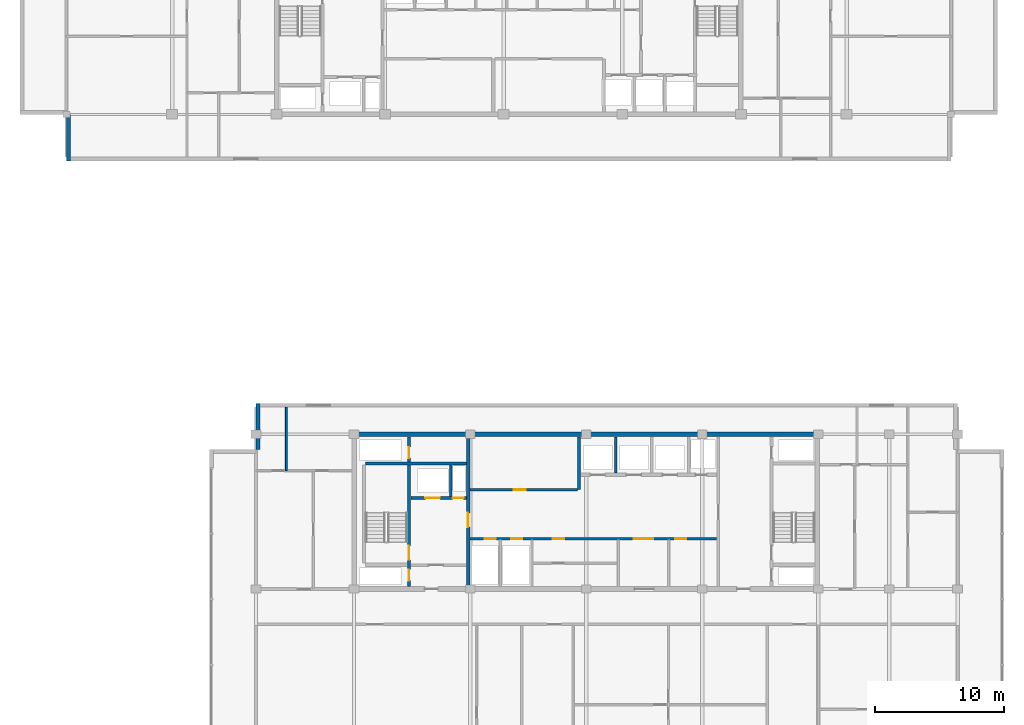
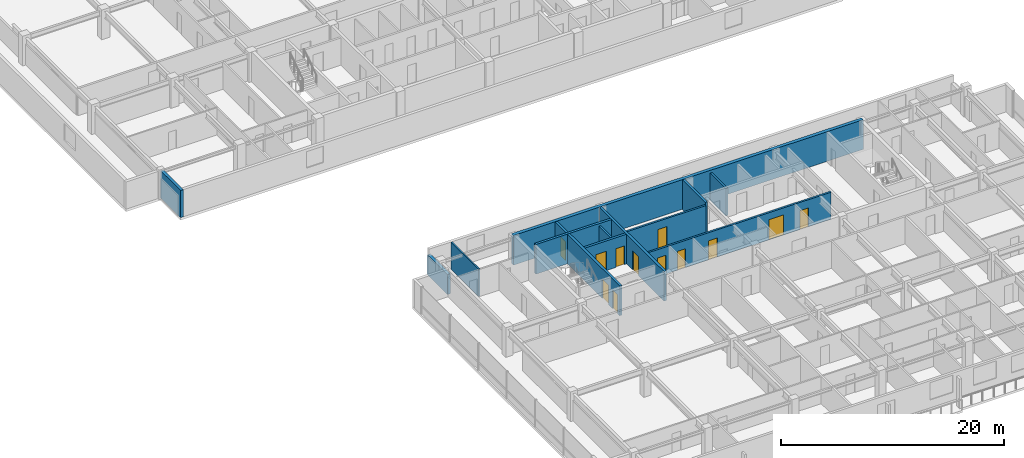
# One storey, part 15 of 30: 13 walls, 12 doors, 12 openings.
"""IFC4 building model written with IfcOpenShell, lengths in metres."""

from ifc_helpers import new_model, si_unit, direction, frame, frame_2d, origin, place, context, subcontext, project, spatial, rectangle, extrude, material, layer, layer_set, type_object, element, fill, save


model = new_model("IFC4")

# Units and contexts
model_context = context("Model", 3, precision=1e-05, world=origin(), true_north=direction((0.0, 1.0)))
body_context = subcontext(model_context, "Body", "Model", "MODEL_VIEW")
ifc_project = project(units=[si_unit("LENGTHUNIT", "METRE"), si_unit("AREAUNIT", "SQUARE_METRE"), si_unit("VOLUMEUNIT", "CUBIC_METRE"), si_unit("PLANEANGLEUNIT", "RADIAN"), si_unit("MASSUNIT", "GRAM", prefix="KILO")], contexts=[model_context])

# Site, building, storey
site_placement = place(None, origin())
site = spatial("IfcSite", under=ifc_project, at=site_placement, CompositionType="ELEMENT")
building_placement = place(site_placement, origin())
building = spatial("IfcBuilding", under=site, at=building_placement, Name="Korimba Cascade Residences", CompositionType="ELEMENT")
storey_placement = place(building_placement, frame((0.0, 0.0, 201.10009765625)))
storey = spatial("IfcBuildingStorey", under=building, at=storey_placement, Name="L58", CompositionType="ELEMENT", Elevation=201.10009765625)

# Walls
ifc_material_1 = material(Name="Precast concrete C40/50", Category="concrete")
ifc_layer_1 = layer(ifc_material_1, 0.300048828125)
ifc_layer_set_1 = layer_set([ifc_layer_1], Name="Precast concrete C40/50")
wall_type_1 = type_object("IfcWallType", Name="EW-STONE-300", PredefinedType="STANDARD", material=ifc_layer_set_1)
wall_1_placement = place(storey_placement, frame((59.949951171875, 55.199951171875, 0.0), z_axis=(0.0, 0.0, 1.0), x_axis=(0.0, -1.0, 0.0)))
element("IfcWall", 1, at=wall_1_placement, inside=storey, type_object=wall_type_1, Name="L58 T1 Perimeter Stone Wall E11", PredefinedType="STANDARD", context=body_context, shape_type="SweptSolid", body=[
    extrude(rectangle(XDim=3.599853515625, YDim=0.300048828125, at=frame_2d((1.7998046875, 0.0))), origin(), (0.0, 0.0, 1.0), 2.969970703125),
])
wall_2_placement = place(storey_placement, frame((74.64990234375, 32.800048828125, 0.0), z_axis=(0.0, 0.0, 1.0), x_axis=(0.0, -1.0, 0.0)))
element("IfcWall", 2, at=wall_2_placement, inside=storey, type_object=wall_type_1, Name="L58 T2 Perimeter Stone Wall E07", PredefinedType="STANDARD", context=body_context, shape_type="SweptSolid", body=[
    extrude(rectangle(XDim=3.60009765625, YDim=0.300048828125, at=frame_2d((1.800048828125, 0.0))), origin(), (0.0, 0.0, 1.0), 2.2001953125),
])
ifc_material_2 = material(Name="Concrete C65/80", Category="concrete")
ifc_layer_2 = layer(ifc_material_2, 0.35009765625)
ifc_layer_set_2 = layer_set([ifc_layer_2], Name="Concrete C65/80")
wall_type_2 = type_object("IfcWallType", Name="WAL-CORE-350", PredefinedType="SHEAR", material=ifc_layer_set_2)
wall_3_placement = place(storey_placement, frame((81.925048828125, 30.39990234375, 0.0), z_axis=(0.0, 0.0, 1.0), x_axis=(1.0, 0.0, 0.0)))
element("IfcWall", 3, at=wall_3_placement, inside=storey, type_object=wall_type_2, Name="L58 Core Shear Wall CW-L58-T2-N", PredefinedType="SHEAR", context=body_context, shape_type="SweptSolid", body=[
    extrude(rectangle(XDim=36.264892578125, YDim=0.35009765625, at=frame_2d((18.13232421875, 0.0))), origin(), (0.0, 0.0, 1.0), 3.25),
])
ifc_material_3 = material(Name="Insulated Acoustic Stud Partition", Category="gypsum")
ifc_layer_3 = layer(ifc_material_3, 0.14990234375)
ifc_layer_set_3 = layer_set([ifc_layer_3], Name="Insulated Acoustic Stud Partition")
wall_type_3 = type_object("IfcWallType", Name="WAL-PART-150", PredefinedType="PARTITIONING", material=ifc_layer_set_3)
wall_4_placement = place(storey_placement, frame((76.85009765625, 27.570068359375, 0.0), z_axis=(0.0, 0.0, 1.0), x_axis=(0.0, 1.0, 0.0)))
element("IfcWall", 4, at=wall_4_placement, inside=storey, type_object=wall_type_3, Name="L58 Partition Wall WAL-L58-T2-FW-VN", PredefinedType="PARTITIONING", context=body_context, shape_type="SweptSolid", body=[
    extrude(rectangle(XDim=4.929931640625, YDim=0.14990234375, at=frame_2d((2.46484375, 0.0))), origin(), (0.0, 0.0, 1.0), 2.969970703125),
])
ifc_material_4 = material(Name="Concrete C40/50", Category="concrete")
ifc_layer_4 = layer(ifc_material_4, 0.199951171875)
ifc_layer_set_4 = layer_set([ifc_layer_4], Name="Concrete C40/50")
wall_type_4 = type_object("IfcWallType", Name="WAL-PART-200", PredefinedType="PARTITIONING", material=ifc_layer_set_4)
wall_5_placement = place(storey_placement, frame((89.60009765625, 25.580078125, 0.0), z_axis=(0.0, 0.0, 1.0), x_axis=(0.0, 1.0, 0.0)))
element("IfcWall", 5, at=wall_5_placement, inside=storey, type_object=wall_type_4, Name="L58 Partition Wall CW-L58-T2-FFLDIV", PredefinedType="PARTITIONING", context=body_context, shape_type="SweptSolid", body=[
    extrude(rectangle(XDim=2.419921875, YDim=0.199951171875, at=frame_2d((1.2099609375, 0.0))), origin(), (0.0, 0.0, 1.0), 2.969970703125),
])

# Wall, opening, door
wall_6_placement = place(storey_placement, frame((91.080078125, 26.10009765625, 0.0), z_axis=(0.0, 0.0, 1.0), x_axis=(1.0, 0.0, 0.0)))
wall_6 = element("IfcWall", 6, at=wall_6_placement, inside=storey, type_object=wall_type_4, Name="L58 Partition Wall CW-L58-T2-B1RS", PredefinedType="PARTITIONING", context=body_context, shape_type="SweptSolid", body=[
    extrude(rectangle(XDim=8.33984375, YDim=0.199951171875, at=frame_2d((4.169921875, 0.0))), origin(), (0.0, 0.0, 1.0), 2.969970703125),
])
opening_1_placement = place(wall_6_placement, frame((3.39990234375, 0.0, 0.0)))
opening_1 = element("IfcOpeningElement", 7, at=opening_1_placement, cuts=wall_6, Name="Opening D-ST1", PredefinedType="OPENING", context=body_context, shape_type="SweptSolid", body=[
    extrude(rectangle(XDim=0.919921875, YDim=2.080078125, at=frame_2d((0.4599609375, 1.0400390625))), frame((0.0, 0.10986328125, 0.0), z_axis=(0.0, -1.0, 0.0), x_axis=(1.0, 0.0, 0.0)), (0.0, 0.0, 1.0), 0.219970703125),
])
ifc_material_5 = material(Name="Fire-Rated Core Store Door", Category="wood")
door_type_1 = type_object("IfcDoorType", Name="DR-FD60-920", OperationType="NOTDEFINED", PredefinedType="DOOR", material=ifc_material_5)
door_1_placement = place(opening_1_placement, origin())
door_1 = element("IfcDoor", 8, at=door_1_placement, inside=storey, type_object=door_type_1, Name="L58 T2 Resident Storage Door", OperationType="SINGLE_SWING_LEFT", OverallHeight=2.080078125, OverallWidth=0.919921875, PredefinedType="DOOR", context=body_context, shape_type="SweptSolid", body=[
    extrude(rectangle(XDim=0.919921875, YDim=2.080078125, at=frame_2d((0.4599609375, 1.0400390625))), frame((0.0, 0.02490234375, 0.0), z_axis=(0.0, -1.0, 0.0), x_axis=(1.0, 0.0, 0.0)), (0.0, 0.0, 1.0), 0.050048828125),
])
fill(opening_1, door_1)

# Wall
wall_7_placement = place(storey_placement, frame((102.39990234375, 27.3798828125, 0.0), z_axis=(0.0, 0.0, 1.0), x_axis=(0.0, 1.0, 0.0)))
element("IfcWall", 9, at=wall_7_placement, inside=storey, type_object=wall_type_4, Name="L58 Partition Wall CW-L58-T2-B2D1", PredefinedType="PARTITIONING", context=body_context, shape_type="SweptSolid", body=[
    extrude(rectangle(XDim=2.820068359375, YDim=0.199951171875, at=frame_2d((1.41015625, 0.0))), origin(), (0.0, 0.0, 1.0), 2.969970703125),
])

# Wall, openings, doors
wall_8_placement = place(storey_placement, frame((91.080078125, 22.300048828125, 0.0), z_axis=(0.0, 0.0, 1.0), x_axis=(1.0, 0.0, 0.0)))
wall_8 = element("IfcWall", 10, at=wall_8_placement, inside=storey, type_object=wall_type_4, Name="L58 Partition Wall CW-L58-T2-SRVROW", PredefinedType="PARTITIONING", context=body_context, shape_type="SweptSolid", body=[
    extrude(rectangle(XDim=19.139892578125, YDim=0.199951171875, at=frame_2d((9.56982421875, 0.0))), origin(), (0.0, 0.0, 1.0), 2.969970703125),
])
opening_2_placement = place(wall_8_placement, frame((1.14990234375, 0.0, 0.0)))
opening_2 = element("IfcOpeningElement", 11, at=opening_2_placement, cuts=wall_8, Name="Opening D-RS1", PredefinedType="OPENING", context=body_context, shape_type="SweptSolid", body=[
    extrude(rectangle(XDim=0.85009765625, YDim=2.050048828125, at=frame_2d((0.425048828125, 1.02490234375))), frame((0.0, 0.10986328125, 0.0), z_axis=(0.0, -1.0, 0.0), x_axis=(1.0, 0.0, 0.0)), (0.0, 0.0, 1.0), 0.219970703125),
])
opening_3_placement = place(wall_8_placement, frame((3.199951171875, 0.0, 0.0)))
opening_3 = element("IfcOpeningElement", 12, at=opening_3_placement, cuts=wall_8, Name="Opening D-RS1", PredefinedType="OPENING", context=body_context, shape_type="SweptSolid", body=[
    extrude(rectangle(XDim=0.85009765625, YDim=2.050048828125, at=frame_2d((0.425048828125, 1.02490234375))), frame((0.0, 0.10986328125, 0.0), z_axis=(0.0, -1.0, 0.0), x_axis=(1.0, 0.0, 0.0)), (0.0, 0.0, 1.0), 0.219970703125),
])
opening_4_placement = place(wall_8_placement, frame((12.719970703125, 0.0, 0.0)))
opening_4 = element("IfcOpeningElement", 13, at=opening_4_placement, cuts=wall_8, Name="Opening D-FD8", PredefinedType="OPENING", context=body_context, shape_type="SweptSolid", body=[
    extrude(rectangle(XDim=1.5, YDim=2.199951171875, at=frame_2d((0.75, 1.10009765625))), frame((0.0, 0.10986328125, 0.0), z_axis=(0.0, -1.0, 0.0), x_axis=(1.0, 0.0, 0.0)), (0.0, 0.0, 1.0), 0.219970703125),
])
opening_5_placement = place(wall_8_placement, frame((6.419921875, 0.0, 0.0)))
opening_5 = element("IfcOpeningElement", 14, at=opening_5_placement, cuts=wall_8, Name="Opening D-IN1", PredefinedType="OPENING", context=body_context, shape_type="SweptSolid", body=[
    extrude(rectangle(XDim=0.919921875, YDim=2.080078125, at=frame_2d((0.4599609375, 1.0400390625))), frame((0.0, 0.10986328125, 0.0), z_axis=(0.0, -1.0, 0.0), x_axis=(1.0, 0.0, 0.0)), (0.0, 0.0, 1.0), 0.219970703125),
])
opening_6_placement = place(wall_8_placement, frame((15.919921875, 0.0, 0.0)))
opening_6 = element("IfcOpeningElement", 15, at=opening_6_placement, cuts=wall_8, Name="Opening D-IN2", PredefinedType="OPENING", context=body_context, shape_type="SweptSolid", body=[
    extrude(rectangle(XDim=0.8798828125, YDim=2.06005859375, at=frame_2d((0.43994140625, 1.030029296875))), frame((0.0, 0.10986328125, 0.0), z_axis=(0.0, -1.0, 0.0), x_axis=(1.0, 0.0, 0.0)), (0.0, 0.0, 1.0), 0.219970703125),
])
ifc_material_6 = material(Name="Fire-Rated Steel Riser Access Door", Category="steel")
door_type_2 = type_object("IfcDoorType", Name="DR-FD60-850", OperationType="NOTDEFINED", PredefinedType="DOOR", material=ifc_material_6)
door_2_placement = place(opening_2_placement, origin())
door_2 = element("IfcDoor", 16, at=door_2_placement, inside=storey, type_object=door_type_2, Name="L58 T2 Electrical Riser Door", OperationType="SINGLE_SWING_RIGHT", OverallHeight=2.050048828125, OverallWidth=0.85009765625, PredefinedType="DOOR", context=body_context, shape_type="SweptSolid", body=[
    extrude(rectangle(XDim=0.85009765625, YDim=2.050048828125, at=frame_2d((0.425048828125, 1.02490234375))), frame((0.0, 0.02490234375, 0.0), z_axis=(0.0, -1.0, 0.0), x_axis=(1.0, 0.0, 0.0)), (0.0, 0.0, 1.0), 0.050048828125),
])
fill(opening_2, door_2)
door_3_placement = place(opening_3_placement, origin())
door_3 = element("IfcDoor", 17, at=door_3_placement, inside=storey, type_object=door_type_2, Name="L58 T2 Plumbing Riser Door", OperationType="SINGLE_SWING_LEFT", OverallHeight=2.050048828125, OverallWidth=0.85009765625, PredefinedType="DOOR", context=body_context, shape_type="SweptSolid", body=[
    extrude(rectangle(XDim=0.85009765625, YDim=2.050048828125, at=frame_2d((0.425048828125, 1.02490234375))), frame((0.0, 0.02490234375, 0.0), z_axis=(0.0, -1.0, 0.0), x_axis=(1.0, 0.0, 0.0)), (0.0, 0.0, 1.0), 0.050048828125),
])
fill(opening_3, door_3)
ifc_material_7 = material(Name="Fire-Rated Glazed Lift Lobby Double Door", Category="glass")
door_type_3 = type_object("IfcDoorType", Name="DR-FD90-1500", OperationType="NOTDEFINED", PredefinedType="DOOR", material=ifc_material_7)
door_4_placement = place(opening_4_placement, origin())
door_4 = element("IfcDoor", 18, at=door_4_placement, inside=storey, type_object=door_type_3, Name="L58 T2 Lift Lobby Foyer Door", OperationType="DOUBLE_DOOR_SINGLE_SWING", OverallHeight=2.199951171875, OverallWidth=1.5, PredefinedType="DOOR", context=body_context, shape_type="SweptSolid", body=[
    extrude(rectangle(XDim=1.5, YDim=2.199951171875, at=frame_2d((0.75, 1.10009765625))), frame((0.0, 0.02490234375, 0.0), z_axis=(0.0, -1.0, 0.0), x_axis=(1.0, 0.0, 0.0)), (0.0, 0.0, 1.0), 0.050048828125),
])
fill(opening_4, door_4)
ifc_material_8 = material(Name="Acoustic Timber Bedroom Door", Category="wood")
door_type_4 = type_object("IfcDoorType", Name="DR-INT-880", OperationType="NOTDEFINED", PredefinedType="DOOR", material=ifc_material_8)
door_5_placement = place(opening_6_placement, origin())
door_5 = element("IfcDoor", 19, at=door_5_placement, inside=storey, type_object=door_type_4, Name="L58 T2 Staff WC Door", OperationType="SINGLE_SWING_LEFT", OverallHeight=2.06005859375, OverallWidth=0.8798828125, PredefinedType="DOOR", context=body_context, shape_type="SweptSolid", body=[
    extrude(rectangle(XDim=0.8798828125, YDim=2.06005859375, at=frame_2d((0.43994140625, 1.030029296875))), frame((0.0, 0.02490234375, 0.0), z_axis=(0.0, -1.0, 0.0), x_axis=(1.0, 0.0, 0.0)), (0.0, 0.0, 1.0), 0.050048828125),
])
fill(opening_6, door_5)
ifc_material_9 = material(Name="Acoustic Timber Living Door", Category="wood")
door_type_5 = type_object("IfcDoorType", Name="DR-INT-920", OperationType="NOTDEFINED", PredefinedType="DOOR", material=ifc_material_9)
door_6_placement = place(opening_5_placement, origin())
door_6 = element("IfcDoor", 20, at=door_6_placement, inside=storey, type_object=door_type_5, Name="L58 T2 Locker Door", OperationType="SINGLE_SWING_RIGHT", OverallHeight=2.080078125, OverallWidth=0.919921875, PredefinedType="DOOR", context=body_context, shape_type="SweptSolid", body=[
    extrude(rectangle(XDim=0.919921875, YDim=2.080078125, at=frame_2d((0.4599609375, 1.0400390625))), frame((0.0, 0.02490234375, 0.0), z_axis=(0.0, -1.0, 0.0), x_axis=(1.0, 0.0, 0.0)), (0.0, 0.0, 1.0), 0.050048828125),
])
fill(opening_5, door_6)

ifc_material_10 = material(Name="Concrete C50/60", Category="concrete")
ifc_layer_5 = layer(ifc_material_10, 0.25)
ifc_layer_set_5 = layer_set([ifc_layer_5], Name="Concrete C50/60")
wall_type_5 = type_object("IfcWallType", Name="WAL-SHAFT-250", PredefinedType="SHEAR", material=ifc_layer_set_5)
wall_9_placement = place(storey_placement, frame((86.364990234375, 18.60009765625, 0.0), z_axis=(0.0, 0.0, 1.0), x_axis=(0.0, 1.0, 0.0)))
wall_9 = element("IfcWall", 21, at=wall_9_placement, inside=storey, type_object=wall_type_5, Name="L58 Core Shear Wall CW-L58-T2-STE1E", PredefinedType="SHEAR", context=body_context, shape_type="SweptSolid", body=[
    extrude(rectangle(XDim=11.599853515625, YDim=0.25, at=frame_2d((5.7998046875, 0.0))), origin(), (0.0, 0.0, 1.0), 3.25),
])
opening_7_placement = place(wall_9_placement, frame((0.449951171875, 0.0, 0.0)))
opening_7 = element("IfcOpeningElement", 22, at=opening_7_placement, cuts=wall_9, Name="Opening D-RS1", PredefinedType="OPENING", context=body_context, shape_type="SweptSolid", body=[
    extrude(rectangle(XDim=0.85009765625, YDim=2.050048828125, at=frame_2d((0.425048828125, 1.02490234375))), frame((0.0, 0.135009765625, 0.0), z_axis=(0.0, -1.0, 0.0), x_axis=(1.0, 0.0, 0.0)), (0.0, 0.0, 1.0), 0.27001953125),
])
opening_8_placement = place(wall_9_placement, frame((2.050048828125, 0.0, 0.0)))
opening_8 = element("IfcOpeningElement", 23, at=opening_8_placement, cuts=wall_9, Name="Opening D-FD1", PredefinedType="OPENING", context=body_context, shape_type="SweptSolid", body=[
    extrude(rectangle(XDim=1.10009765625, YDim=2.10009765625, at=frame_2d((0.550048828125, 1.050048828125))), frame((0.0, 0.135009765625, 0.0), z_axis=(0.0, -1.0, 0.0), x_axis=(1.0, 0.0, 0.0)), (0.0, 0.0, 1.0), 0.27001953125),
])
opening_9_placement = place(wall_9_placement, frame((9.949951171875, 0.0, 0.0)))
opening_9 = element("IfcOpeningElement", 24, at=opening_9_placement, cuts=wall_9, Name="Opening D-RS1", PredefinedType="OPENING", context=body_context, shape_type="SweptSolid", body=[
    extrude(rectangle(XDim=0.85009765625, YDim=2.050048828125, at=frame_2d((0.425048828125, 1.02490234375))), frame((0.0, 0.135009765625, 0.0), z_axis=(0.0, -1.0, 0.0), x_axis=(1.0, 0.0, 0.0)), (0.0, 0.0, 1.0), 0.27001953125),
])
ifc_material_11 = material(Name="Fire-Rated Steel Core Door", Category="steel")
door_type_6 = type_object("IfcDoorType", Name="DR-FD120-1100", OperationType="NOTDEFINED", PredefinedType="DOOR", material=ifc_material_11)
door_7_placement = place(opening_8_placement, origin())
door_7 = element("IfcDoor", 25, at=door_7_placement, inside=storey, type_object=door_type_6, Name="L58 Fire Stair ST-E1 Door", OperationType="SINGLE_SWING_RIGHT", OverallHeight=2.10009765625, OverallWidth=1.10009765625, PredefinedType="DOOR", context=body_context, shape_type="SweptSolid", body=[
    extrude(rectangle(XDim=1.10009765625, YDim=2.10009765625, at=frame_2d((0.550048828125, 1.050048828125))), frame((0.0, 0.02490234375, 0.0), z_axis=(0.0, -1.0, 0.0), x_axis=(1.0, 0.0, 0.0)), (0.0, 0.0, 1.0), 0.050048828125),
])
fill(opening_8, door_7)
door_8_placement = place(opening_7_placement, origin())
door_8 = element("IfcDoor", 26, at=door_8_placement, inside=storey, type_object=door_type_2, Name="L58 T2 Hydrant Riser Door", OperationType="SINGLE_SWING_LEFT", OverallHeight=2.050048828125, OverallWidth=0.85009765625, PredefinedType="DOOR", context=body_context, shape_type="SweptSolid", body=[
    extrude(rectangle(XDim=0.85009765625, YDim=2.050048828125, at=frame_2d((0.425048828125, 1.02490234375))), frame((0.0, 0.02490234375, 0.0), z_axis=(0.0, -1.0, 0.0), x_axis=(1.0, 0.0, 0.0)), (0.0, 0.0, 1.0), 0.050048828125),
])
fill(opening_7, door_8)
door_9_placement = place(opening_9_placement, origin())
door_9 = element("IfcDoor", 27, at=door_9_placement, inside=storey, type_object=door_type_2, Name="L58 T2 Smoke Shaft Door", OperationType="SINGLE_SWING_LEFT", OverallHeight=2.050048828125, OverallWidth=0.85009765625, PredefinedType="DOOR", context=body_context, shape_type="SweptSolid", body=[
    extrude(rectangle(XDim=0.85009765625, YDim=2.050048828125, at=frame_2d((0.425048828125, 1.02490234375))), frame((0.0, 0.02490234375, 0.0), z_axis=(0.0, -1.0, 0.0), x_axis=(1.0, 0.0, 0.0)), (0.0, 0.0, 1.0), 0.050048828125),
])
fill(opening_9, door_9)

# Wall
wall_10_placement = place(storey_placement, frame((83.0, 28.125, 0.0), z_axis=(0.0, 0.0, 1.0), x_axis=(1.0, 0.0, 0.0)))
element("IfcWall", 28, at=wall_10_placement, inside=storey, type_object=wall_type_5, Name="L58 Core Shear Wall CW-L58-T2-STE1N", PredefinedType="SHEAR", context=body_context, shape_type="SweptSolid", body=[
    extrude(rectangle(XDim=7.820068359375, YDim=0.25, at=frame_2d((3.91015625, 0.0))), origin(), (0.0, 0.0, 1.0), 3.25),
])

# Wall, openings, doors
wall_11_placement = place(storey_placement, frame((86.5, 25.449951171875, 0.0), z_axis=(0.0, 0.0, 1.0), x_axis=(1.0, 0.0, 0.0)))
wall_11 = element("IfcWall", 29, at=wall_11_placement, inside=storey, type_object=wall_type_5, Name="L58 Core Shear Wall CW-L58-T2-FFLN", PredefinedType="SHEAR", context=body_context, shape_type="SweptSolid", body=[
    extrude(rectangle(XDim=4.320068359375, YDim=0.25, at=frame_2d((2.16015625, 0.0))), origin(), (0.0, 0.0, 1.0), 3.25),
])
opening_10_placement = place(wall_11_placement, frame((1.139892578125, 0.0, 0.0)))
opening_10 = element("IfcOpeningElement", 30, at=opening_10_placement, cuts=wall_11, Name="Opening LD-01", PredefinedType="OPENING", context=body_context, shape_type="SweptSolid", body=[
    extrude(rectangle(XDim=1.1201171875, YDim=2.1201171875, at=frame_2d((0.56005859375, 1.06005859375))), frame((0.0, 0.135009765625, 0.0), z_axis=(0.0, -1.0, 0.0), x_axis=(1.0, 0.0, 0.0)), (0.0, 0.0, 1.0), 0.27001953125),
])
opening_11_placement = place(wall_11_placement, frame((3.25, 0.0, 0.0)))
opening_11 = element("IfcOpeningElement", 31, at=opening_11_placement, cuts=wall_11, Name="Opening D-RS1", PredefinedType="OPENING", context=body_context, shape_type="SweptSolid", body=[
    extrude(rectangle(XDim=0.85009765625, YDim=2.050048828125, at=frame_2d((0.425048828125, 1.02490234375))), frame((0.0, 0.135009765625, 0.0), z_axis=(0.0, -1.0, 0.0), x_axis=(1.0, 0.0, 0.0)), (0.0, 0.0, 1.0), 0.27001953125),
])
door_10_placement = place(opening_11_placement, origin())
door_10 = element("IfcDoor", 32, at=door_10_placement, inside=storey, type_object=door_type_2, Name="L58 T2 Pressurisation Riser Door", OperationType="SINGLE_SWING_RIGHT", OverallHeight=2.050048828125, OverallWidth=0.85009765625, PredefinedType="DOOR", context=body_context, shape_type="SweptSolid", body=[
    extrude(rectangle(XDim=0.85009765625, YDim=2.050048828125, at=frame_2d((0.425048828125, 1.02490234375))), frame((0.0, 0.02490234375, 0.0), z_axis=(0.0, -1.0, 0.0), x_axis=(1.0, 0.0, 0.0)), (0.0, 0.0, 1.0), 0.050048828125),
])
fill(opening_11, door_10)
ifc_material_12 = material(Name="Stainless Steel Lift Landing Sliding Door", Category="steel")
door_type_7 = type_object("IfcDoorType", Name="DR-LIFT-1100", OperationType="NOTDEFINED", PredefinedType="DOOR", material=ifc_material_12)
door_11_placement = place(opening_10_placement, origin())
door_11 = element("IfcDoor", 33, at=door_11_placement, inside=storey, type_object=door_type_7, Name="L58 Firefighting Lift Landing Door FFL-E1", OperationType="SLIDING_TO_RIGHT", OverallHeight=2.1201171875, OverallWidth=1.1201171875, PredefinedType="DOOR", context=body_context, shape_type="SweptSolid", body=[
    extrude(rectangle(XDim=1.1201171875, YDim=2.1201171875, at=frame_2d((0.56005859375, 1.06005859375))), frame((0.0, 0.02490234375, 0.0), z_axis=(0.0, -1.0, 0.0), x_axis=(1.0, 0.0, 0.0)), (0.0, 0.0, 1.0), 0.050048828125),
])
fill(opening_10, door_11)

# Wall, opening, door
wall_12_placement = place(storey_placement, frame((90.949951171875, 18.60009765625, 0.0), z_axis=(0.0, 0.0, 1.0), x_axis=(0.0, 1.0, 0.0)))
wall_12 = element("IfcWall", 34, at=wall_12_placement, inside=storey, type_object=wall_type_5, Name="L58 Core Shear Wall CW-L58-T2-FFLE", PredefinedType="SHEAR", context=body_context, shape_type="SweptSolid", body=[
    extrude(rectangle(XDim=11.599853515625, YDim=0.25, at=frame_2d((5.7998046875, 0.0))), origin(), (0.0, 0.0, 1.0), 3.25),
])
opening_12_placement = place(wall_12_placement, frame((4.60009765625, 0.0, 0.0)))
opening_12 = element("IfcOpeningElement", 35, at=opening_12_placement, cuts=wall_12, Name="Opening D-FD1", PredefinedType="OPENING", context=body_context, shape_type="SweptSolid", body=[
    extrude(rectangle(XDim=1.10009765625, YDim=2.10009765625, at=frame_2d((0.550048828125, 1.050048828125))), frame((0.0, 0.135009765625, 0.0), z_axis=(0.0, -1.0, 0.0), x_axis=(1.0, 0.0, 0.0)), (0.0, 0.0, 1.0), 0.27001953125),
])
door_12_placement = place(opening_12_placement, origin())
door_12 = element("IfcDoor", 36, at=door_12_placement, inside=storey, type_object=door_type_6, Name="L58 T2 Firefighting Lobby to Lift Lobby Door", OperationType="SINGLE_SWING_RIGHT", OverallHeight=2.10009765625, OverallWidth=1.10009765625, PredefinedType="DOOR", context=body_context, shape_type="SweptSolid", body=[
    extrude(rectangle(XDim=1.10009765625, YDim=2.10009765625, at=frame_2d((0.550048828125, 1.050048828125))), frame((0.0, 0.02490234375, 0.0), z_axis=(0.0, -1.0, 0.0), x_axis=(1.0, 0.0, 0.0)), (0.0, 0.0, 1.0), 0.050048828125),
])
fill(opening_12, door_12)

# Wall
wall_13_placement = place(storey_placement, frame((99.550048828125, 26.10009765625, 0.0), z_axis=(0.0, 0.0, 1.0), x_axis=(0.0, 1.0, 0.0)))
element("IfcWall", 37, at=wall_13_placement, inside=storey, type_object=wall_type_5, Name="L58 Core Shear Wall CW-L58-T2-B12DIV", PredefinedType="SHEAR", context=body_context, shape_type="SweptSolid", body=[
    extrude(rectangle(XDim=4.099853515625, YDim=0.25, at=frame_2d((2.0498046875, 0.0))), origin(), (0.0, 0.0, 1.0), 3.25),
])

save(model, "model.ifc")
